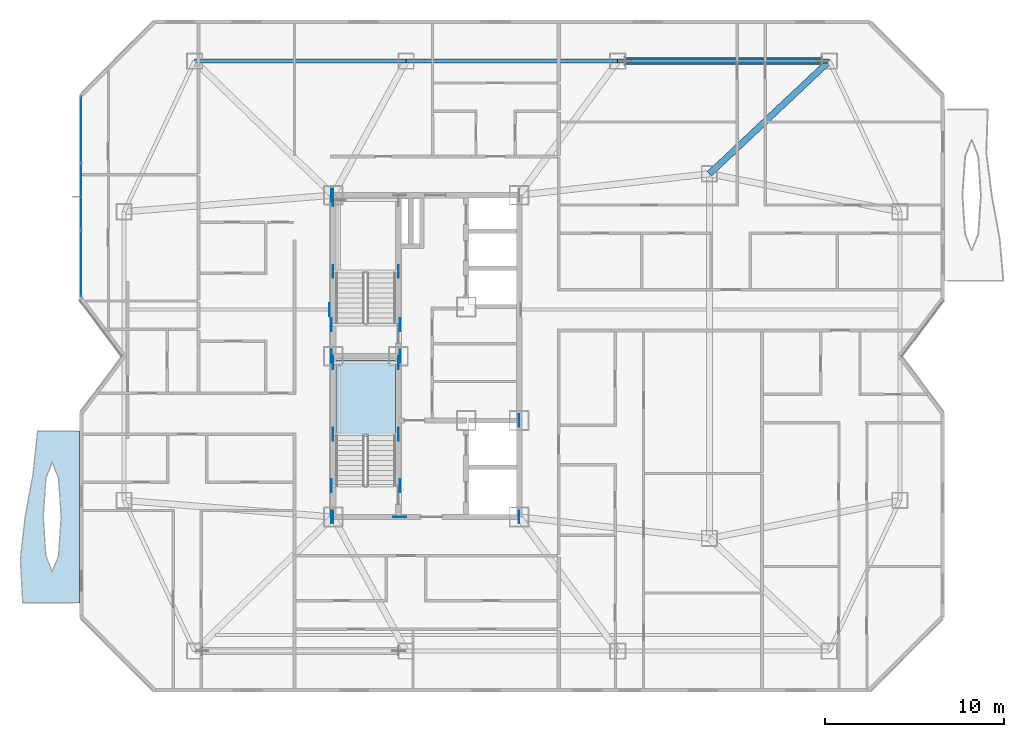
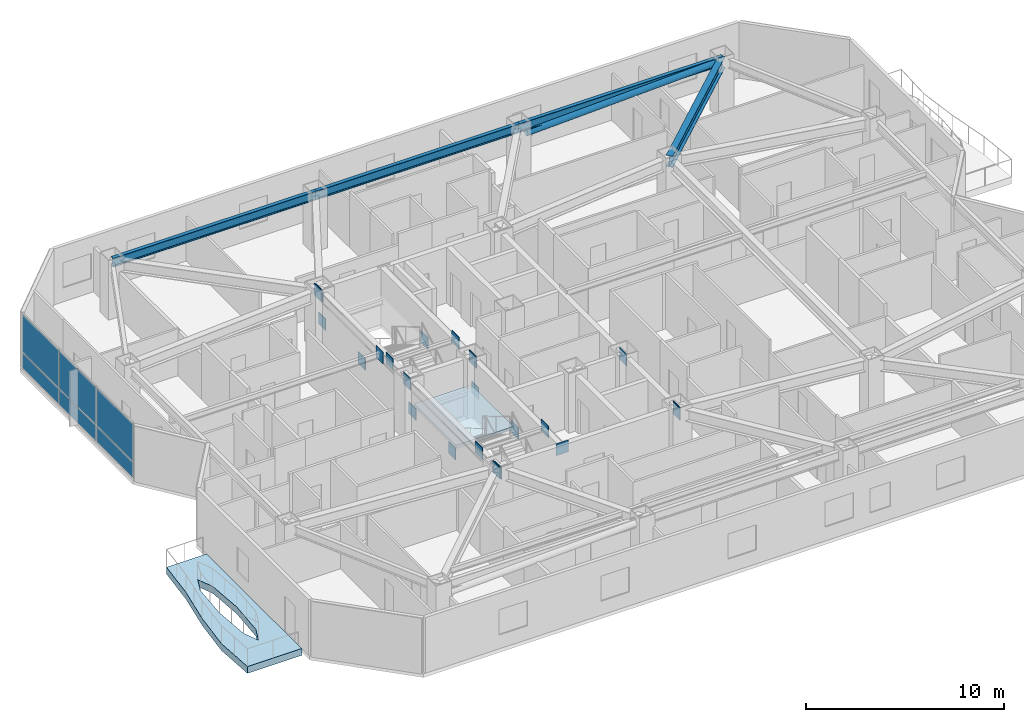
# One storey, part 6 of 18: 28 plates, 4 beams, 2 slabs, 1 member, 2 elements without a shape of their own.
"""IFC4 building model written with IfcOpenShell, lengths in metres."""

from ifc_helpers import new_model, si_unit, direction, frame, origin, origin_2d, place, context, subcontext, project, spatial, polyline, rectangle, hollow_circle, i_section, outline, extrude, material, layer, layer_set, material_profile, profile_set, type_object, element, aggregate, save


model = new_model("IFC4")

# Units and contexts
model_context = context("Model", 3, precision=1e-05, world=origin(), true_north=direction((0.0, 1.0)))
body_context = subcontext(model_context, "Body", "Model", "MODEL_VIEW")
ifc_project = project(units=[si_unit("LENGTHUNIT", "METRE"), si_unit("AREAUNIT", "SQUARE_METRE"), si_unit("VOLUMEUNIT", "CUBIC_METRE"), si_unit("PLANEANGLEUNIT", "RADIAN"), si_unit("MASSUNIT", "GRAM", prefix="KILO")], contexts=[model_context])

# Site, building, storey
site_placement = place(None, origin())
site = spatial("IfcSite", under=ifc_project, at=site_placement, CompositionType="ELEMENT")
building_placement = place(site_placement, origin())
building = spatial("IfcBuilding", under=site, at=building_placement, Name="Khamvora Tower", CompositionType="ELEMENT")
storey_placement = place(building_placement, frame((0.0, 0.0, 181.449951171875)))
storey = spatial("IfcBuildingStorey", under=building, at=storey_placement, Name="L46", CompositionType="ELEMENT", Elevation=181.449951171875)

# Beams
ifc_material_1 = material(Name="Steel S355", Category="steel")
ifc_material_profile_1 = material_profile(ifc_material_1, i_section(OverallWidth=0.35498046875, OverallDepth=0.695068359375, WebThickness=0.014892578125, FlangeThickness=0.02490234375, FilletRadius=0.01611328125, at=origin_2d()), Name="W690x217")
ifc_profile_set_1 = profile_set([ifc_material_profile_1], Name="Steel S355")
beam_type_1 = type_object("IfcBeamType", Name="BM-PG-W690x217", PredefinedType="BEAM", material=ifc_profile_set_1)
beam_1_placement = place(storey_placement, frame((50.050048828125, 38.199951171875, 3.08203125), z_axis=(0.728513992294, 0.685030921224, 0.0), x_axis=(-0.685030921224, 0.728513992294, 0.0)))
element("IfcBeam", 1, at=beam_1_placement, inside=storey, type_object=beam_type_1, Name="L46 primary floor girder N4", PredefinedType="BEAM", context=body_context, shape_type="SweptSolid", body=[
    extrude(i_section(OverallWidth=0.35498046875, OverallDepth=0.695068359375, WebThickness=0.014892578125, FlangeThickness=0.02490234375, FilletRadius=0.01611328125, at=origin_2d()), origin(), (0.0, 0.0, 1.0), 9.19677734375),
])
ifc_material_profile_2 = material_profile(ifc_material_1, i_section(OverallWidth=0.2119140625, OverallDepth=0.5439453125, WebThickness=0.012939453125, FlangeThickness=0.02099609375, FilletRadius=0.013916015625, at=origin_2d()), Name="W530x123")
ifc_profile_set_2 = profile_set([ifc_material_profile_2], Name="Steel S355")
beam_type_2 = type_object("IfcBeamType", Name="BM-SP-W530x123", PredefinedType="SPANDREL", material=ifc_profile_set_2)
beam_2_placement = place(storey_placement, frame((56.75, 44.5, 3.157958984375), z_axis=(-1.0, 0.0, 0.0), x_axis=(0.0, -1.0, 0.0)))
element("IfcBeam", 2, at=beam_2_placement, inside=storey, type_object=beam_type_2, Name="L46 perimeter spandrel beam N4-N3", PredefinedType="SPANDREL", context=body_context, shape_type="SweptSolid", body=[
    extrude(i_section(OverallWidth=0.2119140625, OverallDepth=0.5439453125, WebThickness=0.012939453125, FlangeThickness=0.02099609375, FilletRadius=0.013916015625, at=origin_2d()), origin(), (0.0, 0.0, 1.0), 11.8330078125),
])
beam_3_placement = place(storey_placement, frame((44.9169921875, 44.5, 3.157958984375), z_axis=(-1.0, 0.0, 0.0), x_axis=(0.0, -1.0, 0.0)))
element("IfcBeam", 3, at=beam_3_placement, inside=storey, type_object=beam_type_2, Name="L46 perimeter spandrel beam N3-N2", PredefinedType="SPANDREL", context=body_context, shape_type="SweptSolid", body=[
    extrude(i_section(OverallWidth=0.2119140625, OverallDepth=0.5439453125, WebThickness=0.012939453125, FlangeThickness=0.02099609375, FilletRadius=0.013916015625, at=origin_2d()), origin(), (0.0, 0.0, 1.0), 11.833984375),
])
beam_4_placement = place(storey_placement, frame((33.0830078125, 44.5, 3.157958984375), z_axis=(-1.0, 0.0, 0.0), x_axis=(0.0, -1.0, 0.0)))
element("IfcBeam", 4, at=beam_4_placement, inside=storey, type_object=beam_type_2, Name="L46 perimeter spandrel beam N2-N1", PredefinedType="SPANDREL", context=body_context, shape_type="SweptSolid", body=[
    extrude(i_section(OverallWidth=0.2119140625, OverallDepth=0.5439453125, WebThickness=0.012939453125, FlangeThickness=0.02099609375, FilletRadius=0.013916015625, at=origin_2d()), origin(), (0.0, 0.0, 1.0), 11.8330078125),
])

# Member
ifc_material_profile_3 = material_profile(ifc_material_1, hollow_circle(Radius=0.202880859375, WallThickness=0.01611328125, at=origin_2d()), Name="CHS406x16")
ifc_profile_set_3 = profile_set([ifc_material_profile_3], Name="Steel S355")
member_type = type_object("IfcMemberType", Name="MEM-BR-CHS406", PredefinedType="BRACE", material=ifc_profile_set_3)
member_placement = place(storey_placement, frame((45.346923828125, 44.5, 2.697998046875), z_axis=(0.999174860809, 0.0, 0.040615237634), x_axis=(0.0, 1.0, 0.0)))
element("IfcMember", 5, at=member_placement, inside=storey, type_object=member_type, Name="L46 perimeter wind brace 2", PredefinedType="BRACE", context=body_context, shape_type="SweptSolid", body=[
    extrude(hollow_circle(Radius=0.202880859375, WallThickness=0.01611328125, at=origin_2d()), origin(), (0.0, 0.0, 1.0), 10.982177734375),
])

# Curtain wall, plates
ifc_material_2 = material(Name="Anodised Aluminium 6063-T6", Category="aluminium")
curtain_wall_type = type_object("IfcCurtainWallType", Name="CW-SYS-04", PredefinedType="NOTDEFINED", material=ifc_material_2)
curtain_wall_placement = place(storey_placement, origin())
curtain_wall = element("IfcCurtainWall", 6, at=curtain_wall_placement, inside=storey, type_object=curtain_wall_type, Name="L46 stick curtain wall 05.1", PredefinedType="NOTDEFINED")
ifc_material_3 = material(Name="Low-E Laminated Double Glazing", Category="glass")
ifc_layer_1 = layer(ifc_material_3, 0.028076171875)
ifc_layer_set_1 = layer_set([ifc_layer_1], Name="Low-E Laminated Double Glazing")
plate_type_1 = type_object("IfcPlateType", Name="CW-SYS-04-PNL", PredefinedType="CURTAIN_PANEL", material=ifc_layer_set_1)
plate_1_placement = place(storey_placement, frame((14.89990234375, 33.179443359375, 0.06494140625), z_axis=(0.0, 0.0, 1.0), x_axis=(0.0, 1.0, 0.0)))
plate_1 = element("IfcPlate", 7, at=plate_1_placement, type_object=plate_type_1, Name="CW-04 panel 1.1", PredefinedType="CURTAIN_PANEL", context=body_context, shape_type="SweptSolid", body=[
    extrude(rectangle(XDim=3.660888671875, YDim=0.028076171875, at=origin_2d()), origin(), (0.0, 0.0, 1.0), 0.952392578125),
])
plate_2_placement = place(storey_placement, frame((14.89990234375, 33.179443359375, 1.08251953125), z_axis=(0.0, 0.0, 1.0), x_axis=(0.0, 1.0, 0.0)))
plate_2 = element("IfcPlate", 8, at=plate_2_placement, type_object=plate_type_1, Name="CW-04 panel 1.2", PredefinedType="CURTAIN_PANEL", context=body_context, shape_type="SweptSolid", body=[
    extrude(rectangle(XDim=3.660888671875, YDim=0.028076171875, at=origin_2d()), origin(), (0.0, 0.0, 1.0), 2.282470703125),
])
plate_3_placement = place(storey_placement, frame((14.89990234375, 36.92138671875, 0.06494140625), z_axis=(0.0, 0.0, 1.0), x_axis=(0.0, 1.0, 0.0)))
plate_3 = element("IfcPlate", 9, at=plate_3_placement, type_object=plate_type_1, Name="CW-04 panel 2.1", PredefinedType="CURTAIN_PANEL", context=body_context, shape_type="SweptSolid", body=[
    extrude(rectangle(XDim=3.693359375, YDim=0.028076171875, at=origin_2d()), origin(), (0.0, 0.0, 1.0), 0.952392578125),
])
plate_4_placement = place(storey_placement, frame((14.89990234375, 36.92138671875, 1.08251953125), z_axis=(0.0, 0.0, 1.0), x_axis=(0.0, 1.0, 0.0)))
plate_4 = element("IfcPlate", 10, at=plate_4_placement, type_object=plate_type_1, Name="CW-04 panel 2.2", PredefinedType="CURTAIN_PANEL", context=body_context, shape_type="SweptSolid", body=[
    extrude(rectangle(XDim=3.693359375, YDim=0.028076171875, at=origin_2d()), origin(), (0.0, 0.0, 1.0), 2.282470703125),
])
plate_5_placement = place(storey_placement, frame((14.89990234375, 40.66357421875, 0.06494140625), z_axis=(0.0, 0.0, 1.0), x_axis=(0.0, 1.0, 0.0)))
plate_5 = element("IfcPlate", 11, at=plate_5_placement, type_object=plate_type_1, Name="CW-04 panel 3.1", PredefinedType="CURTAIN_PANEL", context=body_context, shape_type="SweptSolid", body=[
    extrude(rectangle(XDim=3.660888671875, YDim=0.028076171875, at=origin_2d()), origin(), (0.0, 0.0, 1.0), 0.952392578125),
])
plate_6_placement = place(storey_placement, frame((14.89990234375, 40.66357421875, 1.08251953125), z_axis=(0.0, 0.0, 1.0), x_axis=(0.0, 1.0, 0.0)))
plate_6 = element("IfcPlate", 12, at=plate_6_placement, type_object=plate_type_1, Name="CW-04 panel 3.2", PredefinedType="CURTAIN_PANEL", context=body_context, shape_type="SweptSolid", body=[
    extrude(rectangle(XDim=3.660888671875, YDim=0.028076171875, at=origin_2d()), origin(), (0.0, 0.0, 1.0), 2.282470703125),
])
aggregate(curtain_wall, [plate_1, plate_2, plate_3, plate_4, plate_5, plate_6])

# Plates
ifc_material_4 = material(Name="Steel S460", Category="steel")
ifc_layer_2 = layer(ifc_material_4, 0.034912109375)
ifc_layer_set_2 = layer_set([ifc_layer_2], Name="Steel S460")
plate_type_2 = type_object("IfcPlateType", Name="PL-EMB-35", PredefinedType="SHEET", material=ifc_layer_set_2)
for number, where, z_axis, x_axis, name in (
    (13, (29.0, 23.635009765625, 1.13427734375), (0.0, 0.0, 1.0), (1.0, 0.0, 0.0), "L46 core shear wall cast-in embed plate 1338"),
    (14, (32.64990234375, 23.635009765625, 1.13427734375), (0.0, 0.0, 1.0), (1.0, 0.0, 0.0), "L46 core shear wall cast-in embed plate 1339"),
    (15, (29.0, 27.6298828125, 1.13427734375), (0.0, 0.0, 1.0), (1.0, 0.0, 0.0), "L46 core shear wall cast-in embed plate 1340"),
    (16, (32.64990234375, 27.6298828125, 1.13427734375), (0.0, 0.0, 1.0), (1.0, 0.0, 0.0), "L46 core shear wall cast-in embed plate 1341"),
    (17, (29.0, 32.735107421875, 1.13427734375), (0.0, 0.0, 1.0), (1.0, 0.0, 0.0), "L46 core shear wall cast-in embed plate 1342"),
    (18, (32.64990234375, 32.735107421875, 1.13427734375), (0.0, 0.0, 1.0), (1.0, 0.0, 0.0), "L46 core shear wall cast-in embed plate 1343"),
    (19, (29.0, 36.72998046875, 1.13427734375), (0.0, 0.0, 1.0), (1.0, 0.0, 0.0), "L46 core shear wall cast-in embed plate 1344"),
    (20, (29.0, 19.0, 2.72216796875), (0.0, 0.0, 1.0), (1.0, 0.0, 0.0), "L46 core shear wall cast-in embed plate 1347"),
    (21, (39.39990234375, 19.0, 2.72216796875), (0.0, 0.0, 1.0), (1.0, 0.0, 0.0), "L46 core shear wall cast-in embed plate 1348"),
    (22, (29.0, 37.0, 2.72216796875), (0.0, 0.0, 1.0), (1.0, 0.0, 0.0), "L46 core shear wall cast-in embed plate 1349"),
    (23, (28.89990234375, 19.0, 2.80322265625), (0.0, 0.0, 1.0), (1.0, 0.0, 0.0), "L46 core shear wall cast-in embed plate 1351"),
    (24, (28.89990234375, 28.0, 2.80322265625), (0.0, 0.0, 1.0), (1.0, 0.0, 0.0), "L46 core shear wall cast-in embed plate 1352"),
    (25, (28.89990234375, 37.0, 2.80322265625), (0.0, 0.0, 1.0), (1.0, 0.0, 0.0), "L46 core shear wall cast-in embed plate 1353"),
):
    element("IfcPlate", number, at=place(storey_placement, frame(where, z_axis=z_axis, x_axis=x_axis)), inside=storey, type_object=plate_type_2, Name=name, PredefinedType="SHEET", context=body_context, shape_type="SweptSolid", body=[
        extrude(rectangle(XDim=0.034912109375, YDim=0.719970703125, at=origin_2d()), origin(), (0.0, 0.0, 1.0), 0.719970703125),
    ])
plate_7_placement = place(storey_placement, frame((32.72998046875, 19.0, 2.80322265625), z_axis=(0.0, 0.0, 1.0), x_axis=(1.0, 0.0, 0.0)))
element("IfcPlate", 26, at=plate_7_placement, inside=storey, type_object=plate_type_2, Name="L46 core shear wall cast-in embed plate 1354", PredefinedType="SHEET", context=body_context, shape_type="SweptSolid", body=[
    extrude(rectangle(XDim=0.719970703125, YDim=0.034912109375, at=origin_2d()), origin(), (0.0, 0.0, 1.0), 0.719970703125),
])
for number, where, z_axis, x_axis, name in (
    (27, (32.72998046875, 28.0, 2.80322265625), (0.0, 0.0, 1.0), (1.0, 0.0, 0.0), "L46 core shear wall cast-in embed plate 1355"),
    (28, (39.39990234375, 19.0, 2.80322265625), (0.0, 0.0, 1.0), (1.0, 0.0, 0.0), "L46 core shear wall cast-in embed plate 1357"),
    (29, (39.39990234375, 24.39990234375, 2.80322265625), (0.0, 0.0, 1.0), (1.0, 0.0, 0.0), "L46 core shear wall cast-in embed plate 1358"),
    (30, (28.89990234375, 20.75, 2.94384765625), (0.0, 0.0, 1.0), (1.0, 0.0, 0.0), "L46 core shear wall cast-in embed plate 1360"),
    (31, (32.72998046875, 20.75, 2.94384765625), (0.0, 0.0, 1.0), (1.0, 0.0, 0.0), "L46 core shear wall cast-in embed plate 1361"),
    (32, (28.89990234375, 29.75, 2.94384765625), (0.0, 0.0, 1.0), (1.0, 0.0, 0.0), "L46 core shear wall cast-in embed plate 1362"),
    (33, (32.72998046875, 29.75, 2.94384765625), (0.0, 0.0, 1.0), (1.0, 0.0, 0.0), "L46 core shear wall cast-in embed plate 1363"),
    (34, (28.800048828125, 30.60009765625, 2.89208984375), (0.0, 0.0, 1.0), (1.0, 0.0, 0.0), "L46 core shear wall cast-in embed plate 1364"),
):
    element("IfcPlate", number, at=place(storey_placement, frame(where, z_axis=z_axis, x_axis=x_axis)), inside=storey, type_object=plate_type_2, Name=name, PredefinedType="SHEET", context=body_context, shape_type="SweptSolid", body=[
        extrude(rectangle(XDim=0.034912109375, YDim=0.719970703125, at=origin_2d()), origin(), (0.0, 0.0, 1.0), 0.719970703125),
    ])

# Slab
ifc_material_5 = material(Name="Concrete C40/50", Category="concrete")
ifc_layer_3 = layer(ifc_material_5, 0.419921875)
ifc_layer_set_3 = layer_set([ifc_layer_3], Name="Concrete C40/50")
slab_type_1 = type_object("IfcSlabType", Name="SLB-GRD-420", PredefinedType="FLOOR", material=ifc_layer_set_3)
slab_1_placement = place(storey_placement, frame((0.0, 0.0, -0.419921875)))
element("IfcSlab", 35, at=slab_1_placement, inside=storey, type_object=slab_type_1, Name="L46 external lens gallery slab WL1", PredefinedType="FLOOR", context=body_context, shape_type="SweptSolid", body=[
    extrude(outline(polyline([(14.800048828125, 14.199951171875), (14.800048828125, 23.800048828125), (12.469970703125, 23.800048828125), (12.215087890625, 21.39990234375), (11.77294921875, 19.0), (11.507080078125, 16.60009765625), (11.637939453125, 14.199951171875), (14.800048828125, 14.199951171875)]), holes=[polyline([(13.7890625, 19.0), (13.64111328125, 21.172119140625), (13.284912109375, 22.072021484375), (12.928955078125, 21.172119140625), (12.781005859375, 19.0), (12.928955078125, 16.827880859375), (13.284912109375, 15.927978515625), (13.64111328125, 16.827880859375), (13.7890625, 19.0)])]), origin(), (0.0, 0.0, 1.0), 0.419921875),
])

# Stair, slab
stair_type = type_object("IfcStairType", Name="STR-ST-01", PredefinedType="HALF_TURN_STAIR", material=ifc_material_5)
stair_placement = place(storey_placement, origin())
stair = element("IfcStair", 36, at=stair_placement, inside=storey, type_object=stair_type, Name="L46 South Tower Exit Stair ST-01", PredefinedType="HALF_TURN_STAIR")
ifc_layer_4 = layer(ifc_material_5, 0.199951171875)
ifc_layer_set_4 = layer_set([ifc_layer_4], Name="Concrete C40/50")
slab_type_2 = type_object("IfcSlabType", Name="SLB-LND-200", PredefinedType="LANDING", material=ifc_layer_set_4)
slab_2_placement = place(storey_placement, frame((0.0, 0.0, 1.625)))
slab_2 = element("IfcSlab", 37, at=slab_2_placement, type_object=slab_type_2, Name="ST-01 landing 1", PredefinedType="LANDING", context=body_context, shape_type="SweptSolid", body=[
    extrude(outline(polyline([(32.5, 23.514892578125), (32.5, 27.75), (29.14990234375, 27.75), (29.14990234375, 23.514892578125), (32.5, 23.514892578125)])), origin(), (0.0, 0.0, 1.0), 0.199951171875),
])
aggregate(stair, [slab_2])

save(model, "model.ifc")
